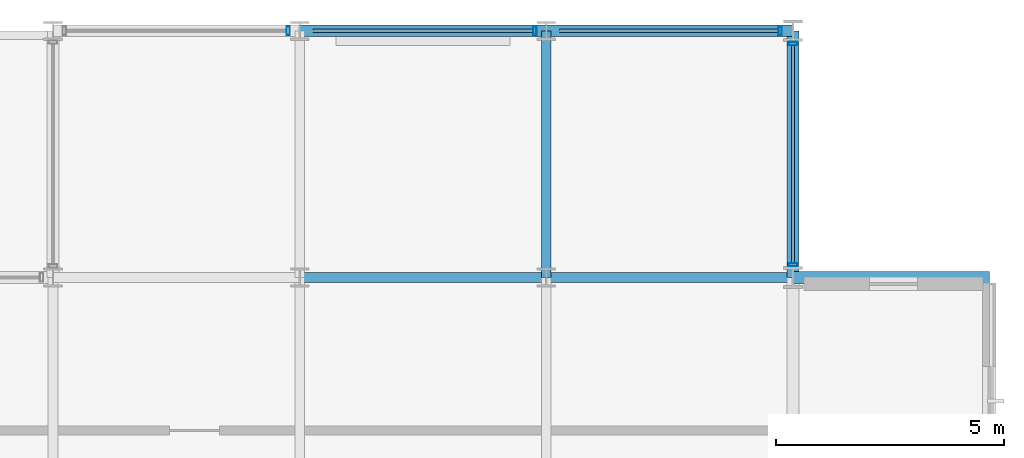
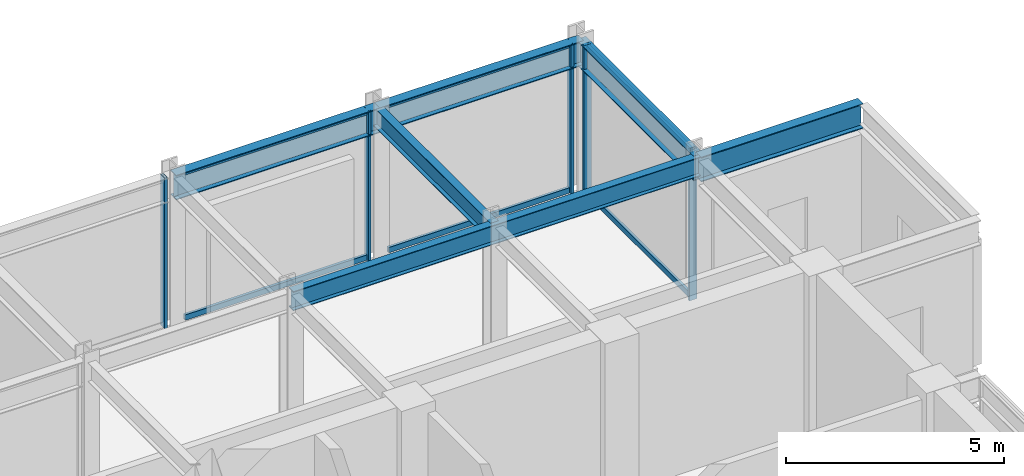
# One storey, part 13 of 21: 11 members, 6 beams, 2 elements without a shape of their own.
"""IFC4 building model written with IfcOpenShell, lengths in metres."""

from ifc_helpers import new_model, si_unit, direction, frame, origin, origin_2d, place, context, subcontext, project, spatial, hollow_rectangle, i_section, extrude, material, layer, layer_set, material_profile, profile_set, type_object, element, aggregate, save


model = new_model("IFC4")

# Units and contexts
model_context = context("Model", 3, precision=1e-05, world=origin(), true_north=direction((0.0, 1.0)))
body_context = subcontext(model_context, "Body", "Model", "MODEL_VIEW")
ifc_project = project(units=[si_unit("LENGTHUNIT", "METRE"), si_unit("AREAUNIT", "SQUARE_METRE"), si_unit("VOLUMEUNIT", "CUBIC_METRE"), si_unit("PLANEANGLEUNIT", "RADIAN"), si_unit("MASSUNIT", "GRAM", prefix="KILO")], contexts=[model_context])

# Site, building, storey
site_placement = place(None, origin())
site = spatial("IfcSite", under=ifc_project, at=site_placement, CompositionType="ELEMENT")
building_placement = place(site_placement, origin())
building = spatial("IfcBuilding", under=site, at=building_placement, Name="Surkhivell Harbour Commons", CompositionType="ELEMENT")
storey_placement = place(building_placement, frame((0.0, 0.0, 346.5)))
storey = spatial("IfcBuildingStorey", under=building, at=storey_placement, Name="L90", CompositionType="ELEMENT", Elevation=346.5)

# Beams
ifc_material_1 = material(Name="Steel S460", Category="steel")
ifc_material_profile_1 = material_profile(ifc_material_1, i_section(OverallWidth=0.256103515625, OverallDepth=0.693115234375, WebThickness=0.014404296875, FlangeThickness=0.023681640625, at=origin_2d()), Name="UB686x254x170")
ifc_profile_set_1 = profile_set([ifc_material_profile_1], Name="Steel S460")
beam_type_1 = type_object("IfcBeamType", Name="BM-CNT-686", PredefinedType="BEAM", material=ifc_profile_set_1)
beam_1_placement = place(storey_placement, frame((10.800048828125, 16.199951171875, 3.87353515625), z_axis=(1.0, 0.0, 0.0), x_axis=(0.0, 1.0, 0.0)))
element("IfcBeam", 1, at=beam_1_placement, inside=storey, type_object=beam_type_1, Name="L90 Box Cantilever Outrigger (10.8,16.2)", PredefinedType="BEAM", context=body_context, shape_type="SweptSolid", body=[
    extrude(i_section(OverallWidth=0.256103515625, OverallDepth=0.693115234375, WebThickness=0.014404296875, FlangeThickness=0.023681640625, at=origin_2d()), origin(), (0.0, 0.0, 1.0), 4.300048828125),
])
ifc_material_2 = material(Name="Steel S355", Category="steel")
ifc_material_profile_2 = material_profile(ifc_material_2, i_section(OverallWidth=0.2099609375, OverallDepth=0.537109375, WebThickness=0.0107421875, FlangeThickness=0.017333984375, at=origin_2d()), Name="UB533x210x101")
ifc_profile_set_2 = profile_set([ifc_material_profile_2], Name="Steel S355")
beam_type_2 = type_object("IfcBeamType", Name="BM-GRD-533B", PredefinedType="BEAM", material=ifc_profile_set_2)
beam_2_placement = place(storey_placement, frame((0.0, 16.199951171875, 3.951416015625), z_axis=(1.0, 0.0, 0.0), x_axis=(0.0, 1.0, 0.0)))
element("IfcBeam", 2, at=beam_2_placement, inside=storey, type_object=beam_type_2, Name="L90 Cantilever Back-Span Girder (0.0,16.2)", PredefinedType="BEAM", context=body_context, shape_type="SweptSolid", body=[
    extrude(i_section(OverallWidth=0.2099609375, OverallDepth=0.537109375, WebThickness=0.0107421875, FlangeThickness=0.017333984375, at=origin_2d()), origin(), (0.0, 0.0, 1.0), 10.800048828125),
])
beam_3_placement = place(storey_placement, frame((5.39990234375, 16.199951171875, 3.951416015625), z_axis=(0.0, 1.0, 0.0), x_axis=(-1.0, 0.0, 0.0)))
element("IfcBeam", 3, at=beam_3_placement, inside=storey, type_object=beam_type_2, Name="L90 Floor Girder (5.4,16.2)", PredefinedType="BEAM", context=body_context, shape_type="SweptSolid", body=[
    extrude(i_section(OverallWidth=0.2099609375, OverallDepth=0.537109375, WebThickness=0.0107421875, FlangeThickness=0.017333984375, at=origin_2d()), origin(), (0.0, 0.0, 1.0), 5.400146484375),
])
ifc_material_profile_3 = material_profile(ifc_material_2, i_section(OverallWidth=0.256103515625, OverallDepth=0.693115234375, WebThickness=0.014404296875, FlangeThickness=0.023681640625, at=origin_2d()), Name="UB686x254x170")
ifc_profile_set_3 = profile_set([ifc_material_profile_3], Name="Steel S355")
beam_type_3 = type_object("IfcBeamType", Name="BM-SPN-686", PredefinedType="SPANDREL", material=ifc_profile_set_3)
beam_4_placement = place(storey_placement, frame((0.0, 21.60009765625, 3.87353515625), z_axis=(1.0, 0.0, 0.0), x_axis=(0.0, 1.0, 0.0)))
element("IfcBeam", 4, at=beam_4_placement, inside=storey, type_object=beam_type_3, Name="L90 Tube Spandrel (0.0,21.6)", PredefinedType="SPANDREL", context=body_context, shape_type="SweptSolid", body=[
    extrude(i_section(OverallWidth=0.256103515625, OverallDepth=0.693115234375, WebThickness=0.014404296875, FlangeThickness=0.023681640625, at=origin_2d()), origin(), (0.0, 0.0, 1.0), 5.39990234375),
])
for number, where, z_axis, x_axis, name in (
    (5, (5.39990234375, 21.60009765625, 3.87353515625), (1.0, 0.0, 0.0), (0.0, 1.0, 0.0), "L90 Tube Spandrel (5.4,21.6)"),
    (6, (10.800048828125, 16.199951171875, 3.87353515625), (0.0, 1.0, 0.0), (-1.0, 0.0, 0.0), "L90 Tube Spandrel (10.8,16.2)"),
):
    element("IfcBeam", number, at=place(storey_placement, frame(where, z_axis=z_axis, x_axis=x_axis)), inside=storey, type_object=beam_type_3, Name=name, PredefinedType="SPANDREL", context=body_context, shape_type="SweptSolid", body=[
        extrude(i_section(OverallWidth=0.256103515625, OverallDepth=0.693115234375, WebThickness=0.014404296875, FlangeThickness=0.023681640625, at=origin_2d()), origin(), (0.0, 0.0, 1.0), 5.400146484375),
    ])

# Curtain wall, members
ifc_material_3 = material(Name="Anodised pale-metal aluminium and insulated glazing", Category="aluminium")
ifc_layer = layer(ifc_material_3, 0.22998046875)
ifc_layer_set = layer_set([ifc_layer], Name="Anodised pale-metal aluminium and insulated glazing")
curtain_wall_type = type_object("IfcCurtainWallType", Name="CW-SYS-CRN", PredefinedType="NOTDEFINED", material=ifc_layer_set)
curtain_wall_1_placement = place(storey_placement, origin())
curtain_wall_1 = element("IfcCurtainWall", 7, at=curtain_wall_1_placement, inside=storey, type_object=curtain_wall_type, Name="L90 Curtain Wall CW-L90-C07S3", PredefinedType="NOTDEFINED")
ifc_material_4 = material(Name="Anodised pale-metal aluminium alloy 6063-T6", Category="aluminium")
ifc_material_profile_4 = material_profile(ifc_material_4, hollow_rectangle(XDim=0.074951171875, YDim=0.18994140625, WallThickness=0.00390625, at=origin_2d()), Name="ALU-MULL-75x190")
ifc_profile_set_4 = profile_set([ifc_material_profile_4], Name="Anodised pale-metal aluminium alloy 6063-T6")
member_type_1 = type_object("IfcMemberType", Name="CWM-190", PredefinedType="MULLION", material=ifc_profile_set_4)
member_1_placement = place(storey_placement, frame((10.800048828125, 16.4794921875, 0.0), z_axis=(0.0, 0.0, 1.0), x_axis=(0.0, 1.0, 0.0)))
member_1 = element("IfcMember", 8, at=member_1_placement, type_object=member_type_1, Name="CW-CRN mullion 1", PredefinedType="MULLION", context=body_context, shape_type="SweptSolid", body=[
    extrude(hollow_rectangle(XDim=0.074951171875, YDim=0.18994140625, WallThickness=0.00390625, at=origin_2d()), origin(), (0.0, 0.0, 1.0), 4.219970703125),
])
member_2_placement = place(storey_placement, frame((10.800048828125, 21.320556640625, 0.0), z_axis=(0.0, 0.0, 1.0), x_axis=(0.0, 1.0, 0.0)))
member_2 = element("IfcMember", 9, at=member_2_placement, type_object=member_type_1, Name="CW-CRN mullion 2", PredefinedType="MULLION", context=body_context, shape_type="SweptSolid", body=[
    extrude(hollow_rectangle(XDim=0.074951171875, YDim=0.18994140625, WallThickness=0.00390625, at=origin_2d()), origin(), (0.0, 0.0, 1.0), 4.219970703125),
])

curtain_wall_2_placement = place(storey_placement, origin())
curtain_wall_2 = element("IfcCurtainWall", 10, at=curtain_wall_2_placement, inside=storey, type_object=curtain_wall_type, Name="L90 Curtain Wall CW-L90-C08", PredefinedType="NOTDEFINED")
member_3_placement = place(storey_placement, frame((10.5205078125, 21.60009765625, 0.0), z_axis=(0.0, 0.0, 1.0), x_axis=(-1.0, 0.0, 0.0)))
member_3 = element("IfcMember", 11, at=member_3_placement, type_object=member_type_1, Name="CW-CRN mullion 1", PredefinedType="MULLION", context=body_context, shape_type="SweptSolid", body=[
    extrude(hollow_rectangle(XDim=0.074951171875, YDim=0.18994140625, WallThickness=0.00390625, at=origin_2d()), origin(), (0.0, 0.0, 1.0), 4.219970703125),
])
member_4_placement = place(storey_placement, frame((5.150390625, 21.60009765625, 0.0), z_axis=(0.0, 0.0, 1.0), x_axis=(-1.0, 0.0, 0.0)))
member_4 = element("IfcMember", 12, at=member_4_placement, type_object=member_type_1, Name="CW-CRN mullion 2", PredefinedType="MULLION", context=body_context, shape_type="SweptSolid", body=[
    extrude(hollow_rectangle(XDim=0.074951171875, YDim=0.18994140625, WallThickness=0.00390625, at=origin_2d()), origin(), (0.0, 0.0, 1.0), 4.219970703125),
])
member_5_placement = place(storey_placement, frame((-0.24951171875, 21.60009765625, 0.0), z_axis=(0.0, 0.0, 1.0), x_axis=(-1.0, 0.0, 0.0)))
member_5 = element("IfcMember", 13, at=member_5_placement, type_object=member_type_1, Name="CW-CRN mullion 3", PredefinedType="MULLION", context=body_context, shape_type="SweptSolid", body=[
    extrude(hollow_rectangle(XDim=0.074951171875, YDim=0.18994140625, WallThickness=0.00390625, at=origin_2d()), origin(), (0.0, 0.0, 1.0), 4.219970703125),
])

# Member
ifc_material_profile_5 = material_profile(ifc_material_4, hollow_rectangle(XDim=0.074951171875, YDim=0.14990234375, WallThickness=0.00341796875, at=origin_2d()), Name="ALU-TRAN-75x150")
ifc_profile_set_5 = profile_set([ifc_material_profile_5], Name="Anodised pale-metal aluminium alloy 6063-T6")
member_type_2 = type_object("IfcMemberType", Name="CWT-150", PredefinedType="USERDEFINED", material=ifc_profile_set_5)
member_6_placement = place(storey_placement, frame((10.800048828125, 16.51708984375, 0.074951171875), z_axis=(0.0, 1.0, 0.0), x_axis=(-1.0, 0.0, 0.0)))
member_6 = element("IfcMember", 14, at=member_6_placement, type_object=member_type_2, Name="CW-CRN transom 1.1", ObjectType="TRANSOM", PredefinedType="USERDEFINED", context=body_context, shape_type="SweptSolid", body=[
    extrude(hollow_rectangle(XDim=0.074951171875, YDim=0.14990234375, WallThickness=0.00341796875, at=origin_2d()), origin(), (0.0, 0.0, 1.0), 4.765869140625),
])

member_7_placement = place(storey_placement, frame((10.800048828125, 16.51708984375, 4.14501953125), z_axis=(0.0, 1.0, 0.0), x_axis=(-1.0, 0.0, 0.0)))
member_7 = element("IfcMember", 15, at=member_7_placement, type_object=member_type_2, Name="CW-CRN transom 1.2", ObjectType="TRANSOM", PredefinedType="USERDEFINED", context=body_context, shape_type="SweptSolid", body=[
    extrude(hollow_rectangle(XDim=0.074951171875, YDim=0.14990234375, WallThickness=0.00341796875, at=origin_2d()), origin(), (0.0, 0.0, 1.0), 4.765869140625),
])

aggregate(curtain_wall_1, [member_1, member_2, member_6, member_7])

member_8_placement = place(storey_placement, frame((10.48291015625, 21.60009765625, 0.074951171875), z_axis=(-1.0, 0.0, 0.0), x_axis=(0.0, -1.0, 0.0)))
member_8 = element("IfcMember", 16, at=member_8_placement, type_object=member_type_2, Name="CW-CRN transom 1.1", ObjectType="TRANSOM", PredefinedType="USERDEFINED", context=body_context, shape_type="SweptSolid", body=[
    extrude(hollow_rectangle(XDim=0.074951171875, YDim=0.14990234375, WallThickness=0.00341796875, at=origin_2d()), origin(), (0.0, 0.0, 1.0), 4.7958984375),
])

member_9_placement = place(storey_placement, frame((10.48291015625, 21.60009765625, 4.14501953125), z_axis=(-1.0, 0.0, 0.0), x_axis=(0.0, -1.0, 0.0)))
member_9 = element("IfcMember", 17, at=member_9_placement, type_object=member_type_2, Name="CW-CRN transom 1.2", ObjectType="TRANSOM", PredefinedType="USERDEFINED", context=body_context, shape_type="SweptSolid", body=[
    extrude(hollow_rectangle(XDim=0.074951171875, YDim=0.14990234375, WallThickness=0.00341796875, at=origin_2d()), origin(), (0.0, 0.0, 1.0), 4.7958984375),
])

member_10_placement = place(storey_placement, frame((5.113037109375, 21.60009765625, 0.074951171875), z_axis=(-1.0, 0.0, 0.0), x_axis=(0.0, -1.0, 0.0)))
member_10 = element("IfcMember", 18, at=member_10_placement, type_object=member_type_2, Name="CW-CRN transom 2.1", ObjectType="TRANSOM", PredefinedType="USERDEFINED", context=body_context, shape_type="SweptSolid", body=[
    extrude(hollow_rectangle(XDim=0.074951171875, YDim=0.14990234375, WallThickness=0.00341796875, at=origin_2d()), origin(), (0.0, 0.0, 1.0), 4.825927734375),
])

member_11_placement = place(storey_placement, frame((5.113037109375, 21.60009765625, 4.14501953125), z_axis=(-1.0, 0.0, 0.0), x_axis=(0.0, -1.0, 0.0)))
member_11 = element("IfcMember", 19, at=member_11_placement, type_object=member_type_2, Name="CW-CRN transom 2.2", ObjectType="TRANSOM", PredefinedType="USERDEFINED", context=body_context, shape_type="SweptSolid", body=[
    extrude(hollow_rectangle(XDim=0.074951171875, YDim=0.14990234375, WallThickness=0.00341796875, at=origin_2d()), origin(), (0.0, 0.0, 1.0), 4.825927734375),
])

aggregate(curtain_wall_2, [member_3, member_8, member_9, member_4, member_10, member_11, member_5])

save(model, "model.ifc")
